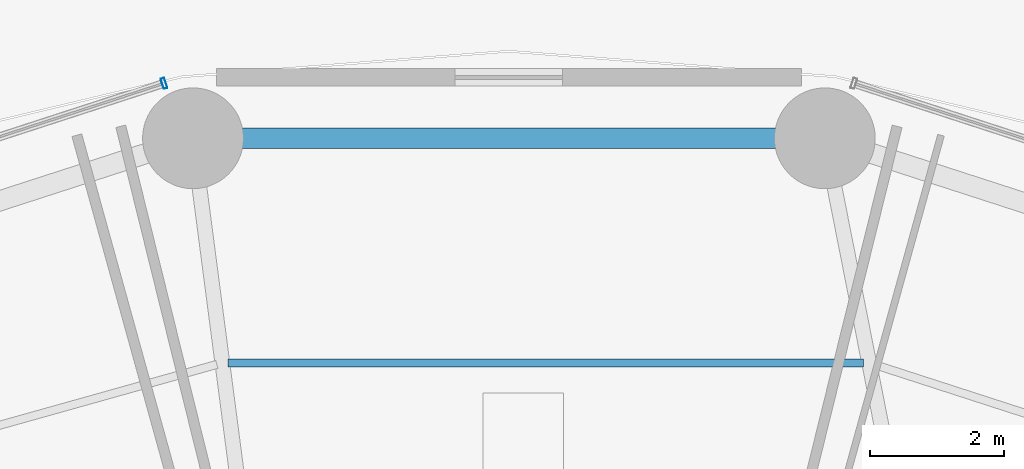
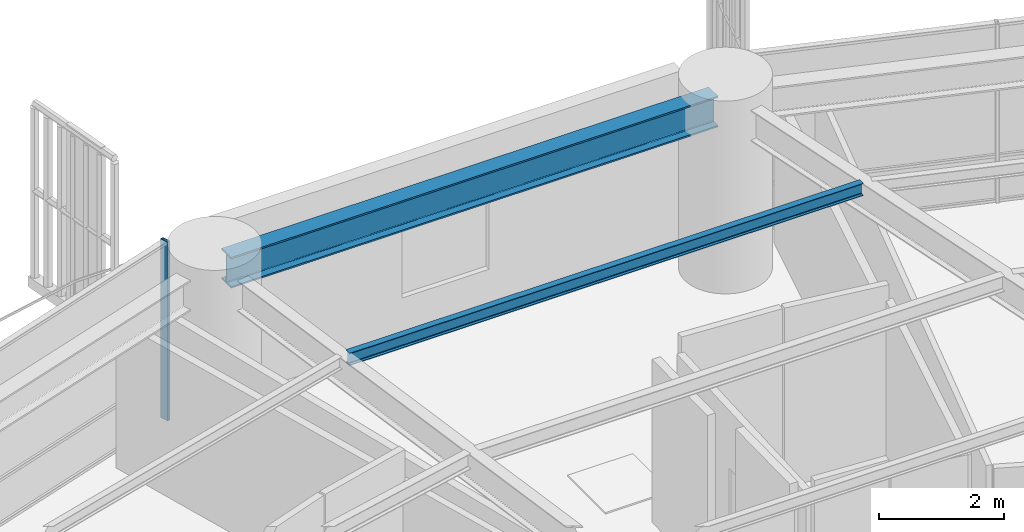
# One storey, part 18 of 33: 2 beams, 1 member, 1 element without a shape of its own.
"""IFC4 building model written with IfcOpenShell, lengths in metres."""

from ifc_helpers import new_model, si_unit, direction, frame, origin, origin_2d, place, context, subcontext, project, spatial, hollow_rectangle, i_section, extrude, material, layer, layer_set, material_profile, profile_set, type_object, element, aggregate, save


model = new_model("IFC4")

# Units and contexts
model_context = context("Model", 3, precision=1e-05, world=origin(), true_north=direction((0.0, 1.0)))
body_context = subcontext(model_context, "Body", "Model", "MODEL_VIEW")
ifc_project = project(units=[si_unit("LENGTHUNIT", "METRE"), si_unit("AREAUNIT", "SQUARE_METRE"), si_unit("VOLUMEUNIT", "CUBIC_METRE"), si_unit("PLANEANGLEUNIT", "RADIAN"), si_unit("MASSUNIT", "GRAM", prefix="KILO")], contexts=[model_context])

# Site, building, storey
site_placement = place(None, origin())
site = spatial("IfcSite", under=ifc_project, at=site_placement, CompositionType="ELEMENT")
building_placement = place(site_placement, origin())
building = spatial("IfcBuilding", under=site, at=building_placement, Name="Kelanora Arch Commons", CompositionType="ELEMENT")
storey_placement = place(building_placement, frame((0.0, 0.0, 26.25)))
storey = spatial("IfcBuildingStorey", under=building, at=storey_placement, Name="L06", CompositionType="ELEMENT", Elevation=26.25)

# Beams
ifc_material_1 = material(Name="Steel S355", Category="steel")
ifc_material_profile_1 = material_profile(ifc_material_1, i_section(OverallWidth=0.1201171875, OverallDepth=0.239990234375, WebThickness=0.006103515625, FlangeThickness=0.009765625, FilletRadius=0.014892578125, at=origin_2d()), Name="IPE240")
ifc_profile_set_1 = profile_set([ifc_material_profile_1], Name="Steel S355")
beam_type_1 = type_object("IfcBeamType", Name="BM-JST-02", PredefinedType="JOIST", material=ifc_profile_set_1)
beam_1_placement = place(storey_placement, frame((79.27685546875, 78.371337890625, 3.3701171875), z_axis=(-1.0, 0.0, 0.0), x_axis=(0.0, -1.0, 0.0)))
element("IfcBeam", 1, at=beam_1_placement, inside=storey, type_object=beam_type_1, Name="Secondary Chord Joist BJC-08 L06", PredefinedType="JOIST", context=body_context, shape_type="SweptSolid", body=[
    extrude(i_section(OverallWidth=0.1201171875, OverallDepth=0.239990234375, WebThickness=0.006103515625, FlangeThickness=0.009765625, FilletRadius=0.014892578125, at=origin_2d()), origin(), (0.0, 0.0, 1.0), 9.457763671875),
])
ifc_material_profile_2 = material_profile(ifc_material_1, i_section(OverallWidth=0.300048828125, OverallDepth=0.60009765625, WebThickness=0.015380859375, FlangeThickness=0.030029296875, FilletRadius=0.027099609375, at=origin_2d()), Name="HEB600")
ifc_profile_set_2 = profile_set([ifc_material_profile_2], Name="Steel S355")
beam_type_2 = type_object("IfcBeamType", Name="BM-SPN-Z1", PredefinedType="SPANDREL", material=ifc_profile_set_2)
beam_2_placement = place(storey_placement, frame((78.482421875, 81.714111328125, 3.18994140625), z_axis=(-1.0, 0.0, 0.0), x_axis=(0.0, -1.0, 0.0)))
element("IfcBeam", 2, at=beam_2_placement, inside=storey, type_object=beam_type_2, Name="Perimeter Spandrel Beam BS-08 L06", PredefinedType="SPANDREL", context=body_context, shape_type="SweptSolid", body=[
    extrude(i_section(OverallWidth=0.300048828125, OverallDepth=0.60009765625, WebThickness=0.015380859375, FlangeThickness=0.030029296875, FilletRadius=0.027099609375, at=origin_2d()), origin(), (0.0, 0.0, 1.0), 8.96484375),
])

# Curtain wall, member
ifc_material_2 = material(Name="Terracotta ceramic-fritted low-E glass and aluminium", Category="masonry")
ifc_layer = layer(ifc_material_2, 0.159912109375)
ifc_layer_set = layer_set([ifc_layer], Name="Terracotta ceramic-fritted low-E glass and aluminium")
curtain_wall_type = type_object("IfcCurtainWallType", Name="CW-SYS-01", PredefinedType="NOTDEFINED", material=ifc_layer_set)
curtain_wall_placement = place(storey_placement, origin())
curtain_wall = element("IfcCurtainWall", 3, at=curtain_wall_placement, inside=storey, type_object=curtain_wall_type, Name="Unitised Curtain Wall L06-B05", PredefinedType="NOTDEFINED")
ifc_material_3 = material(Name="Powder-coated aluminium terracotta", Category="masonry")
ifc_material_profile_3 = material_profile(ifc_material_3, hollow_rectangle(XDim=0.159912109375, YDim=0.06005859375, WallThickness=0.0048828125, InnerFilletRadius=0.0048828125, OuterFilletRadius=0.010009765625, at=origin_2d()), Name="CWM160x60")
ifc_profile_set_3 = profile_set([ifc_material_profile_3], Name="Powder-coated aluminium terracotta")
member_type = type_object("IfcMemberType", Name="CWM-STD", PredefinedType="MULLION", material=ifc_profile_set_3)
member_placement = place(storey_placement, frame((68.865478515625, 82.53173828125, 0.0), z_axis=(0.0, 0.0, 1.0), x_axis=(0.30905758454, -0.951043326793, 0.0)))
member = element("IfcMember", 4, at=member_placement, type_object=member_type, Name="CW-01 mullion 1", PredefinedType="MULLION", context=body_context, shape_type="SweptSolid", body=[
    extrude(hollow_rectangle(XDim=0.159912109375, YDim=0.06005859375, WallThickness=0.0048828125, InnerFilletRadius=0.0048828125, OuterFilletRadius=0.010009765625, at=origin_2d()), origin(), (0.0, 0.0, 1.0), 3.47509765625),
])
aggregate(curtain_wall, [member])

save(model, "model.ifc")
